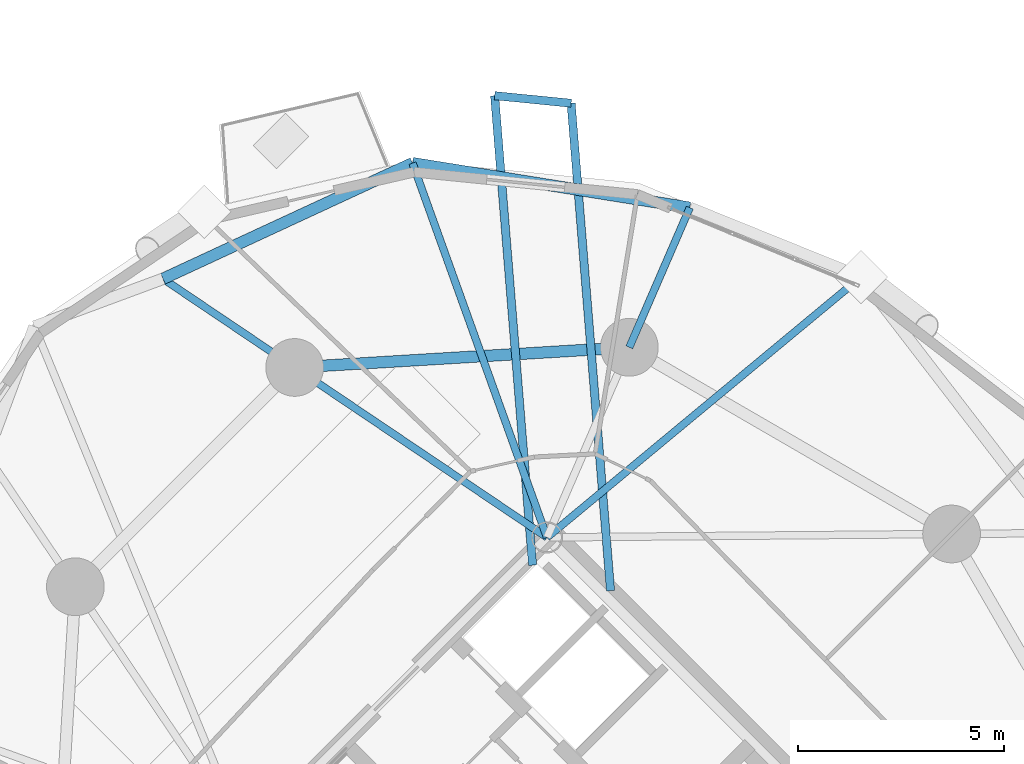
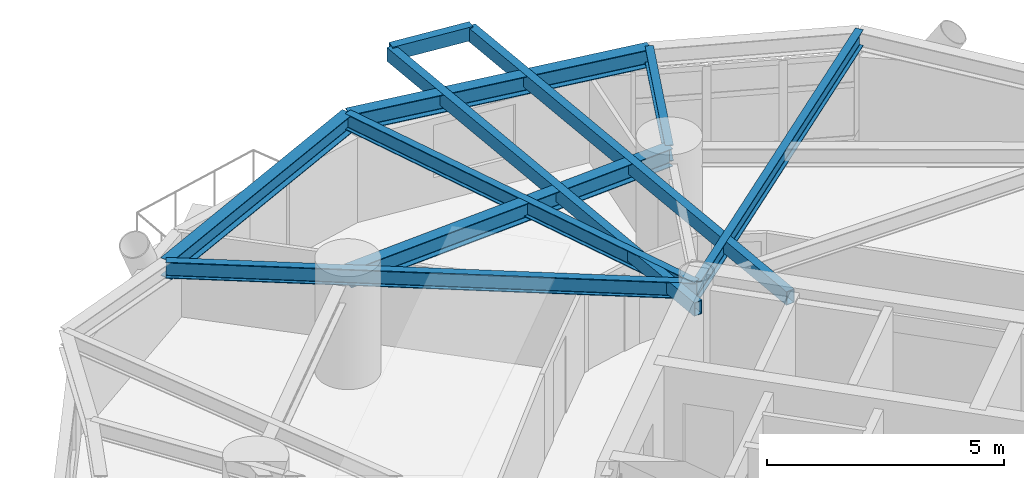
# One storey, part 6 of 18: 10 beams.
"""IFC4 building model written with IfcOpenShell, lengths in metres."""

from ifc_helpers import new_model, si_unit, direction, frame, origin, origin_2d, place, context, subcontext, project, spatial, hollow_rectangle, i_section, extrude, material, material_profile, profile_set, type_object, element, save


model = new_model("IFC4")

# Units and contexts
model_context = context("Model", 3, precision=1e-05, world=origin(), true_north=direction((0.0, 1.0)))
body_context = subcontext(model_context, "Body", "Model", "MODEL_VIEW")
ifc_project = project(units=[si_unit("LENGTHUNIT", "METRE"), si_unit("AREAUNIT", "SQUARE_METRE"), si_unit("VOLUMEUNIT", "CUBIC_METRE"), si_unit("PLANEANGLEUNIT", "RADIAN"), si_unit("MASSUNIT", "GRAM", prefix="KILO")], contexts=[model_context])

# Site, building, storey
site_placement = place(None, origin())
site = spatial("IfcSite", under=ifc_project, at=site_placement, CompositionType="ELEMENT")
building_placement = place(site_placement, origin())
building = spatial("IfcBuilding", under=site, at=building_placement, Name="Cununo Teusaquillo Station Towers", CompositionType="ELEMENT")
storey_placement = place(building_placement, frame((0.0, 0.0, 102.159912109375)))
storey = spatial("IfcBuildingStorey", under=building, at=storey_placement, Name="L32", CompositionType="ELEMENT", Elevation=102.159912109375)

# Beams
ifc_material_1 = material(Name="Steel EN 10025-2 S355J2", Category="steel")
ifc_material_profile_1 = material_profile(ifc_material_1, hollow_rectangle(XDim=0.199951171875, YDim=0.35009765625, WallThickness=0.013916015625, at=origin_2d()), Name="RHS 350x200x14")
ifc_profile_set_1 = profile_set([ifc_material_profile_1], Name="Steel EN 10025-2 S355J2")
beam_type_1 = type_object("IfcBeamType", Name="BM-BAL-CANT", PredefinedType="BEAM", material=ifc_profile_set_1)
beam_1_placement = place(storey_placement, frame((57.835205078125, 31.73095703125, 2.4951171875), z_axis=(-0.080635166538, 0.996743683159, 0.0), x_axis=(-0.996743683159, -0.080635166538, 0.0)))
element("IfcBeam", 1, at=beam_1_placement, inside=storey, type_object=beam_type_1, Name="L32 Tower B Balcony Cantilever Bracket 1A", PredefinedType="BEAM", context=body_context, shape_type="SweptSolid", body=[
    extrude(hollow_rectangle(XDim=0.199951171875, YDim=0.35009765625, WallThickness=0.013916015625, at=origin_2d()), origin(), (0.0, 0.0, 1.0), 11.862548828125),
])
beam_2_placement = place(storey_placement, frame((55.945068359375, 32.349609375, 2.4951171875), z_axis=(-0.080615645749, 0.996745262171, 0.0), x_axis=(-0.996745262171, -0.080615645749, 0.0)))
element("IfcBeam", 2, at=beam_2_placement, inside=storey, type_object=beam_type_1, Name="L32 Tower B Balcony Cantilever Bracket 1B", PredefinedType="BEAM", context=body_context, shape_type="SweptSolid", body=[
    extrude(hollow_rectangle(XDim=0.199951171875, YDim=0.35009765625, WallThickness=0.013916015625, at=origin_2d()), origin(), (0.0, 0.0, 1.0), 11.42626953125),
])
ifc_material_2 = material(Name="Steel ASTM A572 Grade 50", Category="steel")
ifc_material_profile_2 = material_profile(ifc_material_2, i_section(OverallWidth=0.180908203125, OverallDepth=0.4169921875, WebThickness=0.010986328125, FlangeThickness=0.018310546875, FilletRadius=0.012939453125, at=origin_2d()), Name="W16X57")
ifc_profile_set_2 = profile_set([ifc_material_profile_2], Name="Steel ASTM A572 Grade 50")
beam_type_2 = type_object("IfcBeamType", Name="BM-JOIST-1", PredefinedType="JOIST", material=ifc_profile_set_2)
beam_3_placement = place(storey_placement, frame((56.29443359375, 33.024169921875, 2.461669921875), z_axis=(0.769727799615, 0.638372238196, 0.0), x_axis=(-0.638372238196, 0.769727799615, 0.0)))
element("IfcBeam", 3, at=beam_3_placement, inside=storey, type_object=beam_type_2, Name="L32 Tower B Radial Spandrel Joist V01", PredefinedType="JOIST", context=body_context, shape_type="SweptSolid", body=[
    extrude(i_section(OverallWidth=0.180908203125, OverallDepth=0.4169921875, WebThickness=0.010986328125, FlangeThickness=0.018310546875, FilletRadius=0.012939453125, at=origin_2d()), origin(), (0.0, 0.0, 1.0), 9.895263671875),
])
beam_4_placement = place(storey_placement, frame((56.29443359375, 33.024169921875, 2.461669921875), z_axis=(-0.338176312038, 0.941082771055, 0.0), x_axis=(-0.941082771055, -0.338176312038, 0.0)))
element("IfcBeam", 4, at=beam_4_placement, inside=storey, type_object=beam_type_2, Name="L32 Tower B Radial Spandrel Joist V03", PredefinedType="JOIST", context=body_context, shape_type="SweptSolid", body=[
    extrude(i_section(OverallWidth=0.180908203125, OverallDepth=0.4169921875, WebThickness=0.010986328125, FlangeThickness=0.018310546875, FilletRadius=0.012939453125, at=origin_2d()), origin(), (0.0, 0.0, 1.0), 9.646484375),
])
ifc_material_3 = material(Name="Steel ASTM A572 Grade 50", Category="steel")
ifc_material_profile_3 = material_profile(ifc_material_3, i_section(OverallWidth=0.180908203125, OverallDepth=0.4169921875, WebThickness=0.010986328125, FlangeThickness=0.018310546875, FilletRadius=0.012939453125, at=origin_2d()), Name="W16X57")
ifc_profile_set_3 = profile_set([ifc_material_profile_3], Name="Steel ASTM A572 Grade 50")
beam_type_3 = type_object("IfcBeamType", Name="BM-RAD-G2", PredefinedType="BEAM", material=ifc_profile_set_3)
beam_5_placement = place(storey_placement, frame((58.291015625, 37.63525390625, 2.461669921875), z_axis=(0.397421761279, 0.917636062751, 0.0), x_axis=(-0.917636062751, 0.397421761279, 0.0)))
element("IfcBeam", 5, at=beam_5_placement, inside=storey, type_object=beam_type_3, Name="L32 Tower B Perimeter Overhang Girder 02B", PredefinedType="BEAM", context=body_context, shape_type="SweptSolid", body=[
    extrude(i_section(OverallWidth=0.180908203125, OverallDepth=0.4169921875, WebThickness=0.010986328125, FlangeThickness=0.018310546875, FilletRadius=0.012939453125, at=origin_2d()), origin(), (0.0, 0.0, 1.0), 3.690185546875),
])
beam_6_placement = place(storey_placement, frame((56.29443359375, 33.024169921875, 2.461669921875), z_axis=(-0.82945583878, 0.558572297481, 0.0), x_axis=(-0.558572297481, -0.82945583878, 0.0)))
element("IfcBeam", 6, at=beam_6_placement, inside=storey, type_object=beam_type_3, Name="L32 Tower B Continuous Overhanging Radial Girder 03", PredefinedType="BEAM", context=body_context, shape_type="SweptSolid", body=[
    extrude(i_section(OverallWidth=0.180908203125, OverallDepth=0.4169921875, WebThickness=0.010986328125, FlangeThickness=0.018310546875, FilletRadius=0.012939453125, at=origin_2d()), origin(), (0.0, 0.0, 1.0), 11.22998046875),
])
ifc_material_4 = material(Name="Steel ASTM A572 Grade 50", Category="steel")
ifc_material_profile_4 = material_profile(ifc_material_4, i_section(OverallWidth=0.280029296875, OverallDepth=0.462890625, WebThickness=0.0107421875, FlangeThickness=0.017333984375, FilletRadius=0.013916015625, at=origin_2d()), Name="W18X76")
ifc_profile_set_4 = profile_set([ifc_material_profile_4], Name="Steel ASTM A572 Grade 50")
beam_type_4 = type_object("IfcBeamType", Name="BM-RING-Z2", PredefinedType="SPANDREL", material=ifc_profile_set_4)
beam_7_placement = place(storey_placement, frame((58.291015625, 37.63525390625, 2.4384765625), z_axis=(-0.998190567048, -0.06012979176, 0.0), x_axis=(0.06012979176, -0.998190567048, 0.0)))
element("IfcBeam", 7, at=beam_7_placement, inside=storey, type_object=beam_type_4, Name="L32 Tower B Structural Column Ring Girder 02", PredefinedType="SPANDREL", context=body_context, shape_type="SweptSolid", body=[
    extrude(i_section(OverallWidth=0.280029296875, OverallDepth=0.462890625, WebThickness=0.0107421875, FlangeThickness=0.017333984375, FilletRadius=0.013916015625, at=origin_2d()), origin(), (0.0, 0.0, 1.0), 8.132568359375),
])
beam_8_placement = place(storey_placement, frame((59.757568359375, 41.021484375, 2.4384765625), z_axis=(-0.987331474246, 0.158671232312, 0.0), x_axis=(-0.158671232312, -0.987331474246, 0.0)))
element("IfcBeam", 8, at=beam_8_placement, inside=storey, type_object=beam_type_4, Name="L32 Tower B Spandrel Ring Beam 03", PredefinedType="SPANDREL", context=body_context, shape_type="SweptSolid", body=[
    extrude(i_section(OverallWidth=0.280029296875, OverallDepth=0.462890625, WebThickness=0.0107421875, FlangeThickness=0.017333984375, FilletRadius=0.013916015625, at=origin_2d()), origin(), (0.0, 0.0, 1.0), 6.8115234375),
])
beam_9_placement = place(storey_placement, frame((53.0322265625, 42.102294921875, 2.4384765625), z_axis=(-0.907275870354, -0.420535961689, 0.0), x_axis=(0.420535961689, -0.907275870354, 0.0)))
element("IfcBeam", 9, at=beam_9_placement, inside=storey, type_object=beam_type_4, Name="L32 Tower B Spandrel Ring Beam 04", PredefinedType="SPANDREL", context=body_context, shape_type="SweptSolid", body=[
    extrude(i_section(OverallWidth=0.280029296875, OverallDepth=0.462890625, WebThickness=0.0107421875, FlangeThickness=0.017333984375, FilletRadius=0.013916015625, at=origin_2d()), origin(), (0.0, 0.0, 1.0), 6.671142578125),
])
ifc_material_5 = material(Name="Steel EN 10025-2 S355J2", Category="steel")
ifc_material_profile_5 = material_profile(ifc_material_5, hollow_rectangle(XDim=0.199951171875, YDim=0.35009765625, WallThickness=0.013916015625, at=origin_2d()), Name="RHS 350x200x14")
ifc_profile_set_5 = profile_set([ifc_material_profile_5], Name="Steel EN 10025-2 S355J2")
beam_type_5 = type_object("IfcBeamType", Name="BM-STAIR-TRIM", PredefinedType="BEAM", material=ifc_profile_set_5)
beam_10_placement = place(storey_placement, frame((56.878662109375, 43.554931640625, 2.525146484375), z_axis=(-0.995123704518, 0.098634743912, 0.0), x_axis=(-0.098634743912, -0.995123704518, 0.0)))
element("IfcBeam", 10, at=beam_10_placement, inside=storey, type_object=beam_type_5, Name="L32 Tower B Balcony Edge Trimmer Beam 1", PredefinedType="BEAM", context=body_context, shape_type="SweptSolid", body=[
    extrude(hollow_rectangle(XDim=0.199951171875, YDim=0.35009765625, WallThickness=0.013916015625, at=origin_2d()), origin(), (0.0, 0.0, 1.0), 1.86376953125),
])

save(model, "model.ifc")
